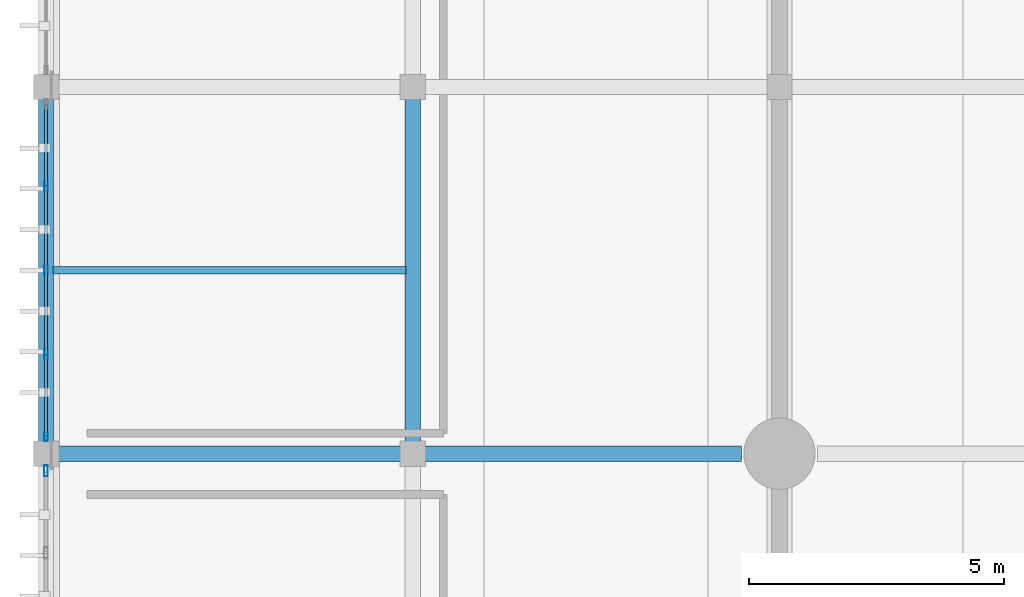
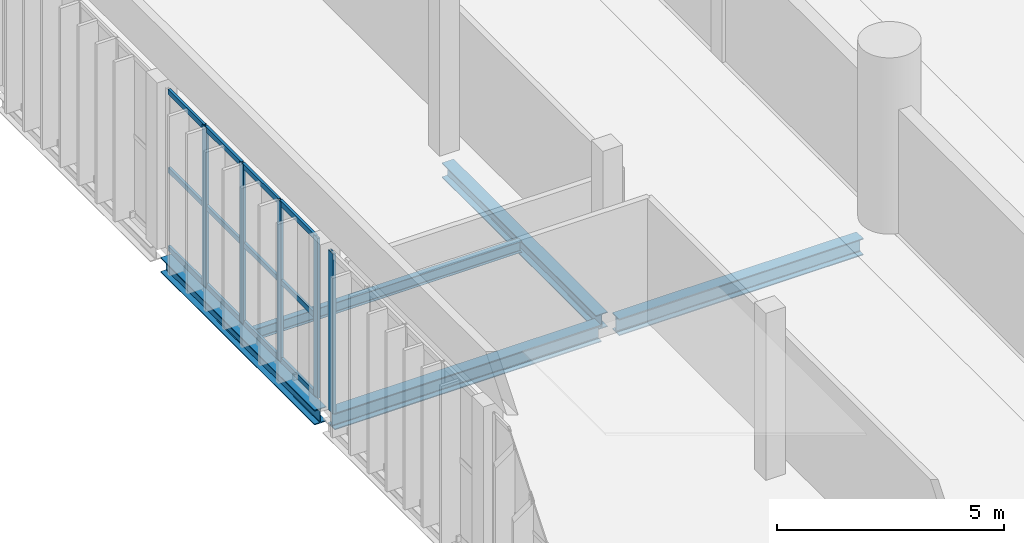
# One storey, part 15 of 64: 17 members, 5 beams, 2 elements without a shape of their own.
"""IFC4 building model written with IfcOpenShell, lengths in metres."""

from ifc_helpers import new_model, si_unit, direction, frame, origin, origin_2d, place, context, subcontext, project, spatial, hollow_rectangle, i_section, extrude, material, material_profile, profile_set, type_object, element, aggregate, save


model = new_model("IFC4")

# Units and contexts
model_context = context("Model", 3, precision=1e-05, world=origin(), true_north=direction((0.0, 1.0)))
body_context = subcontext(model_context, "Body", "Model", "MODEL_VIEW")
ifc_project = project(units=[si_unit("LENGTHUNIT", "METRE"), si_unit("AREAUNIT", "SQUARE_METRE"), si_unit("VOLUMEUNIT", "CUBIC_METRE"), si_unit("PLANEANGLEUNIT", "RADIAN"), si_unit("MASSUNIT", "GRAM", prefix="KILO")], contexts=[model_context])

# Site, building, storey
site_placement = place(None, origin())
site = spatial("IfcSite", under=ifc_project, at=site_placement, CompositionType="ELEMENT")
building_placement = place(site_placement, origin())
building = spatial("IfcBuilding", under=site, at=building_placement, Name="Qandorah Velis Arena", CompositionType="ELEMENT")
storey_placement = place(building_placement, frame((0.0, 0.0, 23.0)))
storey = spatial("IfcBuildingStorey", under=building, at=storey_placement, Name="L05", CompositionType="ELEMENT", Elevation=23.0)

# Curtain wall, members
ifc_material_1 = material(Name="Solar-control low-E double glazing", Category="glass")
curtain_wall_type_1 = type_object("IfcCurtainWallType", Name="ARC-CW-SYS22", PredefinedType="USERDEFINED", material=ifc_material_1)
curtain_wall_1_placement = place(storey_placement, origin())
curtain_wall_1 = element("IfcCurtainWall", 1, at=curtain_wall_1_placement, inside=storey, type_object=curtain_wall_type_1, Name="Unitised curtain wall L05-046", ObjectType="UNITISED CURTAIN WALL", PredefinedType="USERDEFINED")
ifc_material_2 = material(Name="Champagne-bronze anodized aluminium 6063-T6", Category="aluminium")
ifc_material_profile_1 = material_profile(ifc_material_2, hollow_rectangle(XDim=0.06494140625, YDim=0.179931640625, WallThickness=0.00341796875, at=origin_2d()), Name="ALU MULLION 65x180")
ifc_profile_set_1 = profile_set([ifc_material_profile_1], Name="Champagne-bronze anodized aluminium 6063-T6")
member_type_1 = type_object("IfcMemberType", Name="ARC-CWM-180", PredefinedType="MULLION", material=ifc_profile_set_1)
member_1_placement = place(storey_placement, frame((0.0, 57.9326171875, -0.014892578125), z_axis=(0.0, 0.0, 1.0), x_axis=(-1.0, 0.0, 0.0)))
member_1 = element("IfcMember", 2, at=member_1_placement, type_object=member_type_1, Name="CW22 mullion 1", PredefinedType="MULLION", context=body_context, shape_type="SweptSolid", body=[
    extrude(hollow_rectangle(XDim=0.06494140625, YDim=0.179931640625, WallThickness=0.00341796875, at=origin_2d()), origin(), (0.0, 0.0, 1.0), 4.309814453125),
])
member_2_placement = place(storey_placement, frame((0.0, 59.550048828125, -0.014892578125), z_axis=(0.0, 0.0, 1.0), x_axis=(-1.0, 0.0, 0.0)))
member_2 = element("IfcMember", 3, at=member_2_placement, type_object=member_type_1, Name="CW22 mullion 2", PredefinedType="MULLION", context=body_context, shape_type="SweptSolid", body=[
    extrude(hollow_rectangle(XDim=0.06494140625, YDim=0.179931640625, WallThickness=0.00341796875, at=origin_2d()), origin(), (0.0, 0.0, 1.0), 4.309814453125),
])
member_3_placement = place(storey_placement, frame((0.0, 61.199951171875, -0.014892578125), z_axis=(0.0, 0.0, 1.0), x_axis=(-1.0, 0.0, 0.0)))
member_3 = element("IfcMember", 4, at=member_3_placement, type_object=member_type_1, Name="CW22 mullion 3", PredefinedType="MULLION", context=body_context, shape_type="SweptSolid", body=[
    extrude(hollow_rectangle(XDim=0.06494140625, YDim=0.179931640625, WallThickness=0.00341796875, at=origin_2d()), origin(), (0.0, 0.0, 1.0), 4.309814453125),
])
member_4_placement = place(storey_placement, frame((0.0, 62.85009765625, -0.014892578125), z_axis=(0.0, 0.0, 1.0), x_axis=(-1.0, 0.0, 0.0)))
member_4 = element("IfcMember", 5, at=member_4_placement, type_object=member_type_1, Name="CW22 mullion 4", PredefinedType="MULLION", context=body_context, shape_type="SweptSolid", body=[
    extrude(hollow_rectangle(XDim=0.06494140625, YDim=0.179931640625, WallThickness=0.00341796875, at=origin_2d()), origin(), (0.0, 0.0, 1.0), 4.309814453125),
])

# Curtain wall, member
curtain_wall_type_2 = type_object("IfcCurtainWallType", Name="ARC-CW-SYS21", PredefinedType="USERDEFINED", material=ifc_material_1)
curtain_wall_2_placement = place(storey_placement, origin())
curtain_wall_2 = element("IfcCurtainWall", 6, at=curtain_wall_2_placement, inside=storey, type_object=curtain_wall_type_2, Name="Unitised curtain wall L05-045", ObjectType="UNITISED CURTAIN WALL", PredefinedType="USERDEFINED")
ifc_material_profile_2 = material_profile(ifc_material_2, hollow_rectangle(XDim=0.074951171875, YDim=0.219970703125, WallThickness=0.00390625, at=origin_2d()), Name="ALU MULLION 75x220")
ifc_profile_set_2 = profile_set([ifc_material_profile_2], Name="Champagne-bronze anodized aluminium 6063-T6")
member_type_2 = type_object("IfcMemberType", Name="ARC-CWM-220", PredefinedType="MULLION", material=ifc_profile_set_2)
member_5_placement = place(storey_placement, frame((0.0, 57.262451171875, -0.014892578125), z_axis=(0.0, 0.0, 1.0), x_axis=(-1.0, 0.0, 0.0)))
member_5 = element("IfcMember", 7, at=member_5_placement, type_object=member_type_2, Name="CW21 mullion 5", PredefinedType="MULLION", context=body_context, shape_type="SweptSolid", body=[
    extrude(hollow_rectangle(XDim=0.074951171875, YDim=0.219970703125, WallThickness=0.00390625, at=origin_2d()), origin(), (0.0, 0.0, 1.0), 4.309814453125),
])
aggregate(curtain_wall_2, [member_5])

# Member
ifc_material_profile_3 = material_profile(ifc_material_2, hollow_rectangle(XDim=0.06494140625, YDim=0.139892578125, WallThickness=0.0029296875, at=origin_2d()), Name="ALU TRANSOM 65x140")
ifc_profile_set_3 = profile_set([ifc_material_profile_3], Name="Champagne-bronze anodized aluminium 6063-T6")
member_type_3 = type_object("IfcMemberType", Name="ARC-CWT-140", PredefinedType="USERDEFINED", material=ifc_profile_set_3)
member_6_placement = place(storey_placement, frame((0.0, 57.952880859375, 0.032470703125), z_axis=(0.0, 1.0, 0.0), x_axis=(-1.0, 0.0, 0.0)))
member_6 = element("IfcMember", 8, at=member_6_placement, type_object=member_type_3, Name="CW22 transom 1.1", ObjectType="TRANSOM", PredefinedType="USERDEFINED", context=body_context, shape_type="SweptSolid", body=[
    extrude(hollow_rectangle(XDim=0.06494140625, YDim=0.139892578125, WallThickness=0.0029296875, at=origin_2d()), origin(), (0.0, 0.0, 1.0), 1.57666015625),
])

member_7_placement = place(storey_placement, frame((0.0, 57.952880859375, 2.139892578125), z_axis=(0.0, 1.0, 0.0), x_axis=(-1.0, 0.0, 0.0)))
member_7 = element("IfcMember", 9, at=member_7_placement, type_object=member_type_3, Name="CW22 transom 1.2", ObjectType="TRANSOM", PredefinedType="USERDEFINED", context=body_context, shape_type="SweptSolid", body=[
    extrude(hollow_rectangle(XDim=0.06494140625, YDim=0.139892578125, WallThickness=0.0029296875, at=origin_2d()), origin(), (0.0, 0.0, 1.0), 1.57666015625),
])

member_8_placement = place(storey_placement, frame((0.0, 57.952880859375, 4.24755859375), z_axis=(0.0, 1.0, 0.0), x_axis=(-1.0, 0.0, 0.0)))
member_8 = element("IfcMember", 10, at=member_8_placement, type_object=member_type_3, Name="CW22 transom 1.3", ObjectType="TRANSOM", PredefinedType="USERDEFINED", context=body_context, shape_type="SweptSolid", body=[
    extrude(hollow_rectangle(XDim=0.06494140625, YDim=0.139892578125, WallThickness=0.0029296875, at=origin_2d()), origin(), (0.0, 0.0, 1.0), 1.57666015625),
])

member_9_placement = place(storey_placement, frame((0.0, 59.570556640625, 0.032470703125), z_axis=(0.0, 1.0, 0.0), x_axis=(-1.0, 0.0, 0.0)))
member_9 = element("IfcMember", 11, at=member_9_placement, type_object=member_type_3, Name="CW22 transom 2.1", ObjectType="TRANSOM", PredefinedType="USERDEFINED", context=body_context, shape_type="SweptSolid", body=[
    extrude(hollow_rectangle(XDim=0.06494140625, YDim=0.139892578125, WallThickness=0.0029296875, at=origin_2d()), origin(), (0.0, 0.0, 1.0), 1.60888671875),
])

member_10_placement = place(storey_placement, frame((0.0, 59.570556640625, 2.139892578125), z_axis=(0.0, 1.0, 0.0), x_axis=(-1.0, 0.0, 0.0)))
member_10 = element("IfcMember", 12, at=member_10_placement, type_object=member_type_3, Name="CW22 transom 2.2", ObjectType="TRANSOM", PredefinedType="USERDEFINED", context=body_context, shape_type="SweptSolid", body=[
    extrude(hollow_rectangle(XDim=0.06494140625, YDim=0.139892578125, WallThickness=0.0029296875, at=origin_2d()), origin(), (0.0, 0.0, 1.0), 1.60888671875),
])

member_11_placement = place(storey_placement, frame((0.0, 59.570556640625, 4.24755859375), z_axis=(0.0, 1.0, 0.0), x_axis=(-1.0, 0.0, 0.0)))
member_11 = element("IfcMember", 13, at=member_11_placement, type_object=member_type_3, Name="CW22 transom 2.3", ObjectType="TRANSOM", PredefinedType="USERDEFINED", context=body_context, shape_type="SweptSolid", body=[
    extrude(hollow_rectangle(XDim=0.06494140625, YDim=0.139892578125, WallThickness=0.0029296875, at=origin_2d()), origin(), (0.0, 0.0, 1.0), 1.60888671875),
])

member_12_placement = place(storey_placement, frame((0.0, 61.220458984375, 0.032470703125), z_axis=(0.0, 1.0, 0.0), x_axis=(-1.0, 0.0, 0.0)))
member_12 = element("IfcMember", 14, at=member_12_placement, type_object=member_type_3, Name="CW22 transom 3.1", ObjectType="TRANSOM", PredefinedType="USERDEFINED", context=body_context, shape_type="SweptSolid", body=[
    extrude(hollow_rectangle(XDim=0.06494140625, YDim=0.139892578125, WallThickness=0.0029296875, at=origin_2d()), origin(), (0.0, 0.0, 1.0), 1.609130859375),
])

member_13_placement = place(storey_placement, frame((0.0, 61.220458984375, 2.139892578125), z_axis=(0.0, 1.0, 0.0), x_axis=(-1.0, 0.0, 0.0)))
member_13 = element("IfcMember", 15, at=member_13_placement, type_object=member_type_3, Name="CW22 transom 3.2", ObjectType="TRANSOM", PredefinedType="USERDEFINED", context=body_context, shape_type="SweptSolid", body=[
    extrude(hollow_rectangle(XDim=0.06494140625, YDim=0.139892578125, WallThickness=0.0029296875, at=origin_2d()), origin(), (0.0, 0.0, 1.0), 1.609130859375),
])

member_14_placement = place(storey_placement, frame((0.0, 61.220458984375, 4.24755859375), z_axis=(0.0, 1.0, 0.0), x_axis=(-1.0, 0.0, 0.0)))
member_14 = element("IfcMember", 16, at=member_14_placement, type_object=member_type_3, Name="CW22 transom 3.3", ObjectType="TRANSOM", PredefinedType="USERDEFINED", context=body_context, shape_type="SweptSolid", body=[
    extrude(hollow_rectangle(XDim=0.06494140625, YDim=0.139892578125, WallThickness=0.0029296875, at=origin_2d()), origin(), (0.0, 0.0, 1.0), 1.609130859375),
])

member_15_placement = place(storey_placement, frame((0.0, 62.87060546875, 0.032470703125), z_axis=(0.0, 1.0, 0.0), x_axis=(-1.0, 0.0, 0.0)))
member_15 = element("IfcMember", 17, at=member_15_placement, type_object=member_type_3, Name="CW22 transom 4.1", ObjectType="TRANSOM", PredefinedType="USERDEFINED", context=body_context, shape_type="SweptSolid", body=[
    extrude(hollow_rectangle(XDim=0.06494140625, YDim=0.139892578125, WallThickness=0.0029296875, at=origin_2d()), origin(), (0.0, 0.0, 1.0), 1.576416015625),
])

member_16_placement = place(storey_placement, frame((0.0, 62.87060546875, 2.139892578125), z_axis=(0.0, 1.0, 0.0), x_axis=(-1.0, 0.0, 0.0)))
member_16 = element("IfcMember", 18, at=member_16_placement, type_object=member_type_3, Name="CW22 transom 4.2", ObjectType="TRANSOM", PredefinedType="USERDEFINED", context=body_context, shape_type="SweptSolid", body=[
    extrude(hollow_rectangle(XDim=0.06494140625, YDim=0.139892578125, WallThickness=0.0029296875, at=origin_2d()), origin(), (0.0, 0.0, 1.0), 1.576416015625),
])

member_17_placement = place(storey_placement, frame((0.0, 62.87060546875, 4.24755859375), z_axis=(0.0, 1.0, 0.0), x_axis=(-1.0, 0.0, 0.0)))
member_17 = element("IfcMember", 19, at=member_17_placement, type_object=member_type_3, Name="CW22 transom 4.3", ObjectType="TRANSOM", PredefinedType="USERDEFINED", context=body_context, shape_type="SweptSolid", body=[
    extrude(hollow_rectangle(XDim=0.06494140625, YDim=0.139892578125, WallThickness=0.0029296875, at=origin_2d()), origin(), (0.0, 0.0, 1.0), 1.576416015625),
])

aggregate(curtain_wall_1, [member_1, member_2, member_3, member_4, member_6, member_7, member_8, member_9, member_10, member_11, member_12, member_13, member_14, member_15, member_16, member_17])

# Beams
ifc_material_3 = material(Name="Steel S355", Category="steel")
ifc_material_profile_4 = material_profile(ifc_material_3, i_section(OverallWidth=0.300048828125, OverallDepth=0.39990234375, WebThickness=0.013427734375, FlangeThickness=0.02392578125, FilletRadius=0.027099609375, at=origin_2d()), Name="HEB 400")
ifc_profile_set_4 = profile_set([ifc_material_profile_4], Name="Steel S355")
beam_type_1 = type_object("IfcBeamType", Name="STR-BM-HEB400", PredefinedType="BEAM", material=ifc_profile_set_4)
beam_1_placement = place(storey_placement, frame((0.0, 57.778564453125, -0.449951171875), z_axis=(0.0, 1.0, 0.0), x_axis=(-1.0, 0.0, 0.0)))
element("IfcBeam", 20, at=beam_1_placement, inside=storey, type_object=beam_type_1, Name="Primary floor girder L05 Y-119", PredefinedType="BEAM", context=body_context, shape_type="SweptSolid", body=[
    extrude(i_section(OverallWidth=0.300048828125, OverallDepth=0.39990234375, WebThickness=0.013427734375, FlangeThickness=0.02392578125, FilletRadius=0.027099609375, at=origin_2d()), origin(), (0.0, 0.0, 1.0), 6.79638671875),
])
beam_2_placement = place(storey_placement, frame((7.199951171875, 57.824951171875, -0.449951171875), z_axis=(0.0, 1.0, 0.0), x_axis=(-1.0, 0.0, 0.0)))
element("IfcBeam", 21, at=beam_2_placement, inside=storey, type_object=beam_type_1, Name="Primary floor girder L05 Y-131", PredefinedType="BEAM", context=body_context, shape_type="SweptSolid", body=[
    extrude(i_section(OverallWidth=0.300048828125, OverallDepth=0.39990234375, WebThickness=0.013427734375, FlangeThickness=0.02392578125, FilletRadius=0.027099609375, at=origin_2d()), origin(), (0.0, 0.0, 1.0), 6.796630859375),
])
ifc_material_profile_5 = material_profile(ifc_material_3, i_section(OverallWidth=0.300048828125, OverallDepth=0.449951171875, WebThickness=0.013916015625, FlangeThickness=0.02587890625, FilletRadius=0.027099609375, at=origin_2d()), Name="HEB 450")
ifc_profile_set_5 = profile_set([ifc_material_profile_5], Name="Steel S355")
beam_type_2 = type_object("IfcBeamType", Name="STR-BM-HEB450", PredefinedType="BEAM", material=ifc_profile_set_5)
beam_3_placement = place(storey_placement, frame((0.178466796875, 57.60009765625, -0.47509765625), z_axis=(1.0, 0.0, 0.0), x_axis=(0.0, 1.0, 0.0)))
element("IfcBeam", 22, at=beam_3_placement, inside=storey, type_object=beam_type_2, Name="Primary floor girder L05 X-053", PredefinedType="BEAM", context=body_context, shape_type="SweptSolid", body=[
    extrude(i_section(OverallWidth=0.300048828125, OverallDepth=0.449951171875, WebThickness=0.013916015625, FlangeThickness=0.02587890625, FilletRadius=0.027099609375, at=origin_2d()), origin(), (0.0, 0.0, 1.0), 6.796630859375),
])
beam_4_placement = place(storey_placement, frame((7.425048828125, 57.60009765625, -0.47509765625), z_axis=(1.0, 0.0, 0.0), x_axis=(0.0, 1.0, 0.0)))
element("IfcBeam", 23, at=beam_4_placement, inside=storey, type_object=beam_type_2, Name="Primary floor girder L05 X-054", PredefinedType="BEAM", context=body_context, shape_type="SweptSolid", body=[
    extrude(i_section(OverallWidth=0.300048828125, OverallDepth=0.449951171875, WebThickness=0.013916015625, FlangeThickness=0.02587890625, FilletRadius=0.027099609375, at=origin_2d()), origin(), (0.0, 0.0, 1.0), 6.224853515625),
])
ifc_material_profile_6 = material_profile(ifc_material_3, i_section(OverallWidth=0.14990234375, OverallDepth=0.300048828125, WebThickness=0.007080078125, FlangeThickness=0.0107421875, FilletRadius=0.014892578125, at=origin_2d()), Name="IPE 300")
ifc_profile_set_6 = profile_set([ifc_material_profile_6], Name="Steel S355")
beam_type_3 = type_object("IfcBeamType", Name="STR-JST-IPE300", PredefinedType="JOIST", material=ifc_profile_set_6)
beam_5_placement = place(storey_placement, frame((0.135009765625, 61.199951171875, -0.39990234375), z_axis=(1.0, 0.0, 0.0), x_axis=(0.0, 1.0, 0.0)))
element("IfcBeam", 24, at=beam_5_placement, inside=storey, type_object=beam_type_3, Name="Secondary floor joist L05-004", PredefinedType="JOIST", context=body_context, shape_type="SweptSolid", body=[
    extrude(i_section(OverallWidth=0.14990234375, OverallDepth=0.300048828125, WebThickness=0.007080078125, FlangeThickness=0.0107421875, FilletRadius=0.014892578125, at=origin_2d()), origin(), (0.0, 0.0, 1.0), 6.929931640625),
])

save(model, "model.ifc")
